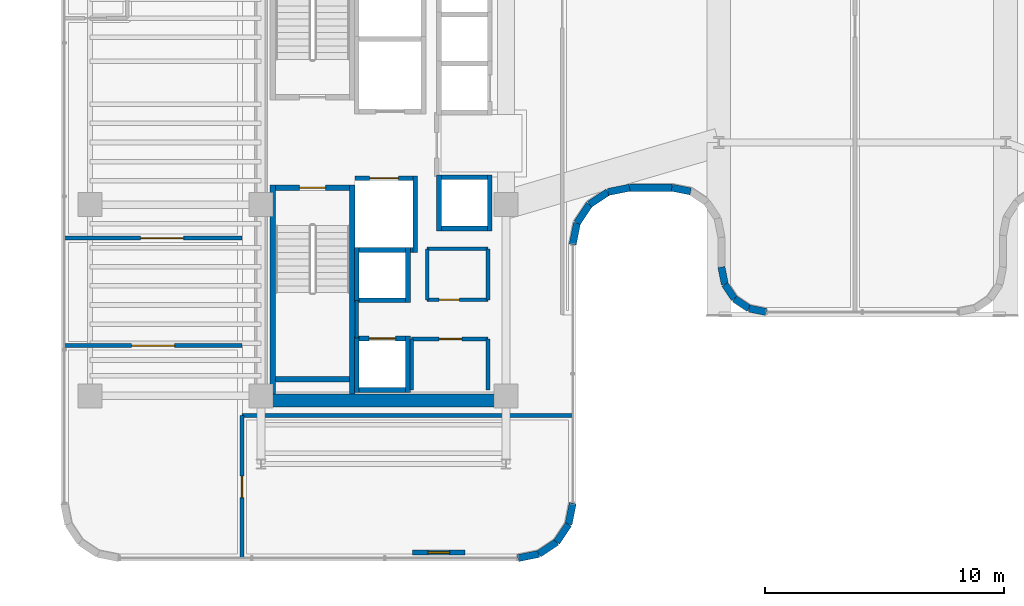
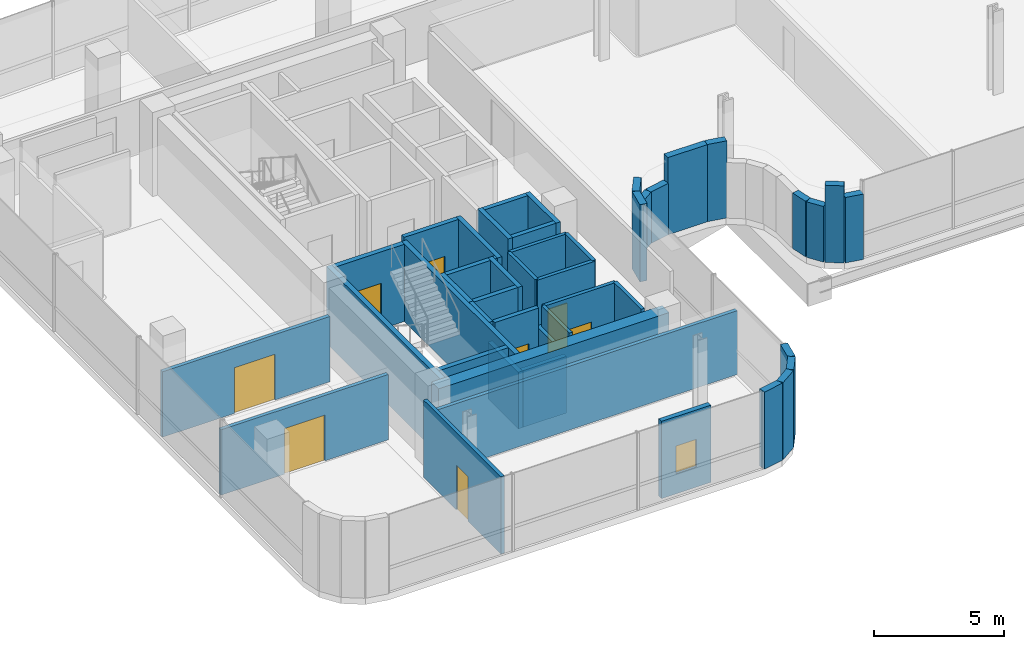
# One storey, part 27 of 37: 46 walls, 8 doors, 1 window, 9 openings.
"""IFC4 building model written with IfcOpenShell, lengths in metres."""

from ifc_helpers import new_model, si_unit, direction, frame, frame_2d, origin, place, context, subcontext, project, spatial, rectangle, extrude, material, layer, layer_set, type_object, element, fill, save


model = new_model("IFC4")

# Units and contexts
model_context = context("Model", 3, precision=1e-05, world=origin(), true_north=direction((0.0, 1.0)))
body_context = subcontext(model_context, "Body", "Model", "MODEL_VIEW")
ifc_project = project(units=[si_unit("LENGTHUNIT", "METRE"), si_unit("AREAUNIT", "SQUARE_METRE"), si_unit("VOLUMEUNIT", "CUBIC_METRE"), si_unit("PLANEANGLEUNIT", "RADIAN"), si_unit("MASSUNIT", "GRAM", prefix="KILO")], contexts=[model_context])

# Site, building, storey
site_placement = place(None, origin())
site = spatial("IfcSite", under=ifc_project, at=site_placement, CompositionType="ELEMENT")
building_placement = place(site_placement, origin())
building = spatial("IfcBuilding", under=site, at=building_placement, Name="Valdorenza Pilgrim Sanctuary Tower", CompositionType="ELEMENT")
storey_placement = place(building_placement, frame((0.0, 0.0, 188.39990234375)))
storey = spatial("IfcBuildingStorey", under=building, at=storey_placement, Name="L48", CompositionType="ELEMENT", Elevation=188.39990234375)

# Wall
ifc_material_1 = material(Name="Acoustic twin-stud gypsum partition", Category="gypsum")
ifc_layer_1 = layer(ifc_material_1, 0.159912109375, Name="Acoustic twin-stud gypsum partition")
ifc_layer_set_1 = layer_set([ifc_layer_1], Name="Acoustic twin-stud gypsum partition")
wall_type_1 = type_object("IfcWallType", Name="WAL-COR-160", PredefinedType="PARTITIONING", material=ifc_layer_set_1)
wall_1_placement = place(storey_placement, frame((-18.64990234375, -8.179931640625, 0.0), z_axis=(0.0, 0.0, 1.0), x_axis=(0.0, 1.0, 0.0)))
element("IfcWall", 1, at=wall_1_placement, inside=storey, type_object=wall_type_1, Name="L48 Core A South Lift Hall West Wall", PredefinedType="PARTITIONING", context=body_context, shape_type="SweptSolid", body=[
    extrude(rectangle(XDim=1.559814453125, YDim=0.159912109375, at=frame_2d((0.77978515625, 0.0))), origin(), (0.0, 0.0, 1.0), 3.630126953125),
])

# Wall, opening, door
wall_2_placement = place(storey_placement, frame((-16.35009765625, -8.219970703125, 0.0), z_axis=(0.0, 0.0, 1.0), x_axis=(1.0, 0.0, 0.0)))
wall_2 = element("IfcWall", 2, at=wall_2_placement, inside=storey, type_object=wall_type_1, Name="L48 Freed Shaft 1 North Wall", PredefinedType="PARTITIONING", context=body_context, shape_type="SweptSolid", body=[
    extrude(rectangle(XDim=3.2001953125, YDim=0.159912109375, at=frame_2d((1.60009765625, 0.0))), origin(), (0.0, 0.0, 1.0), 3.630126953125),
])
opening_1_placement = place(wall_2_placement, frame((1.14990234375, 0.0, 0.0)))
opening_1 = element("IfcOpeningElement", 3, at=opening_1_placement, cuts=wall_2, Name="Opening DR-UN1", PredefinedType="OPENING", context=body_context, shape_type="SweptSolid", body=[
    extrude(rectangle(XDim=0.949951171875, YDim=2.14990234375, at=frame_2d((0.47509765625, 1.074951171875))), frame((0.0, 0.0947265625, 0.0), z_axis=(0.0, -1.0, 0.0), x_axis=(1.0, 0.0, 0.0)), (0.0, 0.0, 1.0), 0.189697265625),
])
ifc_material_2 = material(Name="Solid-core European oak timber", Category="wood")
door_type_1 = type_object("IfcDoorType", Name="DR-UNIT-950", OperationType="NOTDEFINED", PredefinedType="DOOR", material=ifc_material_2)
door_1_placement = place(opening_1_placement, origin())
door_1 = element("IfcDoor", 4, at=door_1_placement, inside=storey, type_object=door_type_1, Name="L48 Back-of-House Linen Store Door", OperationType="SINGLE_SWING_LEFT", OverallHeight=2.14990234375, OverallWidth=0.949951171875, PredefinedType="DOOR", context=body_context, shape_type="SweptSolid", body=[
    extrude(rectangle(XDim=0.949951171875, YDim=2.14990234375, at=frame_2d((0.47509765625, 1.074951171875))), frame((0.0, 0.02490234375, 0.0), z_axis=(0.0, -1.0, 0.0), x_axis=(1.0, 0.0, 0.0)), (0.0, 0.0, 1.0), 0.050048828125),
])
fill(opening_1, door_1)

# Wall
wall_3_placement = place(storey_placement, frame((-13.14990234375, -10.35009765625, 0.0), z_axis=(0.0, 0.0, 1.0), x_axis=(0.0, 1.0, 0.0)))
element("IfcWall", 5, at=wall_3_placement, inside=storey, type_object=wall_type_1, Name="L48 Freed Shaft 1 East Wall", PredefinedType="PARTITIONING", context=body_context, shape_type="SweptSolid", body=[
    extrude(rectangle(XDim=2.130126953125, YDim=0.159912109375, at=frame_2d((1.06494140625, 0.0))), origin(), (0.0, 0.0, 1.0), 3.630126953125),
])

# Wall, opening, door
wall_4_placement = place(storey_placement, frame((-15.699951171875, -6.580078125, 0.0), z_axis=(0.0, 0.0, 1.0), x_axis=(1.0, 0.0, 0.0)))
wall_4 = element("IfcWall", 6, at=wall_4_placement, inside=storey, type_object=wall_type_1, Name="L48 Freed Shaft 2 South Wall", PredefinedType="PARTITIONING", context=body_context, shape_type="SweptSolid", body=[
    extrude(rectangle(XDim=2.550048828125, YDim=0.159912109375, at=frame_2d((1.27490234375, 0.0))), origin(), (0.0, 0.0, 1.0), 3.630126953125),
])
opening_2_placement = place(wall_4_placement, frame((0.5, 0.0, 0.0)))
opening_2 = element("IfcOpeningElement", 7, at=opening_2_placement, cuts=wall_4, Name="Opening DR-RS1", PredefinedType="OPENING", context=body_context, shape_type="SweptSolid", body=[
    extrude(rectangle(XDim=0.85009765625, YDim=2.050048828125, at=frame_2d((0.425048828125, 1.02490234375))), frame((0.0, 0.0947265625, 0.0), z_axis=(0.0, -1.0, 0.0), x_axis=(1.0, 0.0, 0.0)), (0.0, 0.0, 1.0), 0.189697265625),
])
ifc_material_3 = material(Name="Painted galvanized steel", Category="steel")
door_type_2 = type_object("IfcDoorType", Name="DR-RSR-850", OperationType="NOTDEFINED", PredefinedType="DOOR", material=ifc_material_3)
door_2_placement = place(opening_2_placement, origin())
door_2 = element("IfcDoor", 8, at=door_2_placement, inside=storey, type_object=door_type_2, Name="L48 Guest Tea Pantry Door", OperationType="SINGLE_SWING_RIGHT", OverallHeight=2.050048828125, OverallWidth=0.85009765625, PredefinedType="DOOR", context=body_context, shape_type="SweptSolid", body=[
    extrude(rectangle(XDim=0.85009765625, YDim=2.050048828125, at=frame_2d((0.425048828125, 1.02490234375))), frame((0.0, 0.02490234375, 0.0), z_axis=(0.0, -1.0, 0.0), x_axis=(1.0, 0.0, 0.0)), (0.0, 0.0, 1.0), 0.050048828125),
])
fill(opening_2, door_2)

# Walls
wall_5_placement = place(storey_placement, frame((-13.14990234375, -6.580078125, 0.0), z_axis=(0.0, 0.0, 1.0), x_axis=(0.0, 1.0, 0.0)))
element("IfcWall", 9, at=wall_5_placement, inside=storey, type_object=wall_type_1, Name="L48 Freed Shaft 2 East Wall", PredefinedType="PARTITIONING", context=body_context, shape_type="SweptSolid", body=[
    extrude(rectangle(XDim=2.130126953125, YDim=0.159912109375, at=frame_2d((1.06494140625, 0.0))), origin(), (0.0, 0.0, 1.0), 3.630126953125),
])
wall_6_placement = place(storey_placement, frame((-23.449951171875, -11.419921875, 0.0), z_axis=(0.0, 0.0, 1.0), x_axis=(1.0, 0.0, 0.0)))
element("IfcWall", 10, at=wall_6_placement, inside=storey, type_object=wall_type_1, Name="L48 South-East Pocket North Wall", PredefinedType="PARTITIONING", context=body_context, shape_type="SweptSolid", body=[
    extrude(rectangle(XDim=13.83984375, YDim=0.159912109375, at=frame_2d((6.919921875, 0.0))), origin(), (0.0, 0.0, 1.0), 3.004150390625),
])

# Wall, opening, door
wall_7_placement = place(storey_placement, frame((-23.449951171875, -17.389892578125, 0.0), z_axis=(0.0, 0.0, 1.0), x_axis=(0.0, 1.0, 0.0)))
wall_7 = element("IfcWall", 11, at=wall_7_placement, inside=storey, type_object=wall_type_1, Name="L48 South-East Pocket West Wall", PredefinedType="PARTITIONING", context=body_context, shape_type="SweptSolid", body=[
    extrude(rectangle(XDim=5.969970703125, YDim=0.159912109375, at=frame_2d((2.98486328125, 0.0))), origin(), (0.0, 0.0, 1.0), 3.630126953125),
])
opening_3_placement = place(wall_7_placement, frame((2.534912109375, 0.0, 0.0)))
opening_3 = element("IfcOpeningElement", 12, at=opening_3_placement, cuts=wall_7, Name="Opening DR-RM1", PredefinedType="OPENING", context=body_context, shape_type="SweptSolid", body=[
    extrude(rectangle(XDim=0.89990234375, YDim=2.10009765625, at=frame_2d((0.449951171875, 1.050048828125))), frame((0.0, 0.0947265625, 0.0), z_axis=(0.0, -1.0, 0.0), x_axis=(1.0, 0.0, 0.0)), (0.0, 0.0, 1.0), 0.189697265625),
])
door_type_3 = type_object("IfcDoorType", Name="DR-ROOM-900", OperationType="NOTDEFINED", PredefinedType="DOOR", material=ifc_material_2)
door_3_placement = place(opening_3_placement, frame((0.89990234375, 0.0, 0.0), z_axis=(0.0, 0.0, 1.0), x_axis=(-1.0, 0.0, 0.0)))
door_3 = element("IfcDoor", 13, at=door_3_placement, inside=storey, type_object=door_type_3, Name="L48 Sacred Archive Reading Library L48-S Door", OperationType="SINGLE_SWING_LEFT", OverallHeight=2.10009765625, OverallWidth=0.89990234375, PredefinedType="DOOR", context=body_context, shape_type="SweptSolid", body=[
    extrude(rectangle(XDim=0.89990234375, YDim=2.10009765625, at=frame_2d((0.449951171875, 1.050048828125))), frame((0.0, 0.02490234375, 0.0), z_axis=(0.0, -1.0, 0.0), x_axis=(1.0, 0.0, 0.0)), (0.0, 0.0, 1.0), 0.050048828125),
])
fill(opening_3, door_3)

wall_8_placement = place(storey_placement, frame((-30.889892578125, -8.5, 0.0), z_axis=(0.0, 0.0, 1.0), x_axis=(1.0, 0.0, 0.0)))
wall_8 = element("IfcWall", 14, at=wall_8_placement, inside=storey, type_object=wall_type_1, Name="L48 Cloister South Room Wall", PredefinedType="PARTITIONING", context=body_context, shape_type="SweptSolid", body=[
    extrude(rectangle(XDim=7.43994140625, YDim=0.159912109375, at=frame_2d((3.719970703125, 0.0))), origin(), (0.0, 0.0, 1.0), 3.076171875),
])
opening_4_placement = place(wall_8_placement, frame((2.820068359375, 0.0, 0.0)))
opening_4 = element("IfcOpeningElement", 15, at=opening_4_placement, cuts=wall_8, Name="Opening DR-HL1", PredefinedType="OPENING", context=body_context, shape_type="SweptSolid", body=[
    extrude(rectangle(XDim=1.800048828125, YDim=2.14990234375, at=frame_2d((0.89990234375, 1.074951171875))), frame((0.0, 0.0947265625, 0.0), z_axis=(0.0, -1.0, 0.0), x_axis=(1.0, 0.0, 0.0)), (0.0, 0.0, 1.0), 0.189697265625),
])
ifc_material_4 = material(Name="Acoustic oak and vision-glass double door", Category="glass")
door_type_4 = type_object("IfcDoorType", Name="DR-HALL-1800", OperationType="NOTDEFINED", PredefinedType="DOOR", material=ifc_material_4)
door_4_placement = place(opening_4_placement, origin())
door_4 = element("IfcDoor", 16, at=door_4_placement, inside=storey, type_object=door_type_4, Name="L48 Sacred Archive Reading Library L48-S1 Door", OperationType="DOUBLE_DOOR_SINGLE_SWING", OverallHeight=2.14990234375, OverallWidth=1.800048828125, PredefinedType="DOOR", context=body_context, shape_type="SweptSolid", body=[
    extrude(rectangle(XDim=1.800048828125, YDim=2.14990234375, at=frame_2d((0.89990234375, 1.074951171875))), frame((0.0, 0.02490234375, 0.0), z_axis=(0.0, -1.0, 0.0), x_axis=(1.0, 0.0, 0.0)), (0.0, 0.0, 1.0), 0.050048828125),
])
fill(opening_4, door_4)

wall_9_placement = place(storey_placement, frame((-30.889892578125, -4.0, 0.0), z_axis=(0.0, 0.0, 1.0), x_axis=(1.0, 0.0, 0.0)))
wall_9 = element("IfcWall", 17, at=wall_9_placement, inside=storey, type_object=wall_type_1, Name="L48 Cloister Mid Wall", PredefinedType="PARTITIONING", context=body_context, shape_type="SweptSolid", body=[
    extrude(rectangle(XDim=7.43994140625, YDim=0.159912109375, at=frame_2d((3.719970703125, 0.0))), origin(), (0.0, 0.0, 1.0), 3.076171875),
])
opening_5_placement = place(wall_9_placement, frame((3.199951171875, 0.0, 0.0)))
opening_5 = element("IfcOpeningElement", 18, at=opening_5_placement, cuts=wall_9, Name="Opening DR-HL1", PredefinedType="OPENING", context=body_context, shape_type="SweptSolid", body=[
    extrude(rectangle(XDim=1.800048828125, YDim=2.14990234375, at=frame_2d((0.89990234375, 1.074951171875))), frame((0.0, 0.0947265625, 0.0), z_axis=(0.0, -1.0, 0.0), x_axis=(1.0, 0.0, 0.0)), (0.0, 0.0, 1.0), 0.189697265625),
])
door_5_placement = place(opening_5_placement, origin())
door_5 = element("IfcDoor", 19, at=door_5_placement, inside=storey, type_object=door_type_4, Name="L48 Cloister Mid Double Door", OperationType="DOUBLE_DOOR_SINGLE_SWING", OverallHeight=2.14990234375, OverallWidth=1.800048828125, PredefinedType="DOOR", context=body_context, shape_type="SweptSolid", body=[
    extrude(rectangle(XDim=1.800048828125, YDim=2.14990234375, at=frame_2d((0.89990234375, 1.074951171875))), frame((0.0, 0.02490234375, 0.0), z_axis=(0.0, -1.0, 0.0), x_axis=(1.0, 0.0, 0.0)), (0.0, 0.0, 1.0), 0.050048828125),
])
fill(opening_5, door_5)

# Walls
ifc_material_5 = material(Name="Concrete C50/60", Category="concrete")
ifc_layer_2 = layer(ifc_material_5, 0.550048828125, Name="Concrete C50/60")
ifc_layer_set_2 = layer_set([ifc_layer_2], Name="Concrete C50/60")
wall_type_2 = type_object("IfcWallType", Name="WAL-COR-550", PredefinedType="SHEAR", material=ifc_layer_set_2)
wall_10_placement = place(storey_placement, frame((-22.64990234375, -10.800048828125, 0.0), z_axis=(0.0, 0.0, 1.0), x_axis=(1.0, 0.0, 0.0)))
element("IfcWall", 20, at=wall_10_placement, inside=storey, type_object=wall_type_2, Name="L48 Split Core A Shear Wall S", PredefinedType="SHEAR", context=body_context, shape_type="SweptSolid", body=[
    extrude(rectangle(XDim=10.25, YDim=0.550048828125, at=frame_2d((5.125, 0.0))), origin(), (0.0, 0.0, 1.0), 3.630126953125),
])
ifc_material_6 = material(Name="Honed travertine limestone", Category="masonry")
ifc_layer_3 = layer(ifc_material_6, 0.300048828125, Name="Honed travertine limestone")
ifc_layer_set_3 = layer_set([ifc_layer_3], Name="Honed travertine limestone")
wall_type_3 = type_object("IfcWallType", Name="WAL-EXT-300", PredefinedType="SOLIDWALL", material=ifc_layer_set_3)
wall_11_placement = place(storey_placement, frame((-1.51318359375, -7.090087890625, 0.0), z_axis=(0.0, 0.0, 1.0), x_axis=(-0.980783640462, 0.195098566376, 0.0)))
element("IfcWall", 21, at=wall_11_placement, inside=storey, type_object=wall_type_3, Name="L48 Rounded Wind-Corner Stone Pier 63", PredefinedType="SOLIDWALL", context=body_context, shape_type="SweptSolid", body=[
    extrude(rectangle(XDim=0.73828125, YDim=0.300048828125, at=frame_2d((0.369140625, 0.0))), origin(), (0.0, 0.0, 1.0), 3.076171875),
])
wall_12_placement = place(storey_placement, frame((-2.2373046875, -6.946044921875, 0.0), z_axis=(0.0, 0.0, 1.0), x_axis=(-0.831378135196, 0.555707113792, 0.0)))
element("IfcWall", 22, at=wall_12_placement, inside=storey, type_object=wall_type_3, Name="L48 Rounded Wind-Corner Stone Pier 64", PredefinedType="SOLIDWALL", context=body_context, shape_type="SweptSolid", body=[
    extrude(rectangle(XDim=0.72705078125, YDim=0.300048828125, at=frame_2d((0.363525390625, 0.0))), origin(), (0.0, 0.0, 1.0), 3.630126953125),
])
wall_13_placement = place(storey_placement, frame((-2.841796875, -6.5419921875, 0.0), z_axis=(0.0, 0.0, 1.0), x_axis=(-0.555784030735, 0.83132671747, 0.0)))
element("IfcWall", 23, at=wall_13_placement, inside=storey, type_object=wall_type_3, Name="L48 Rounded Wind-Corner Stone Pier 65", PredefinedType="SOLIDWALL", context=body_context, shape_type="SweptSolid", body=[
    extrude(rectangle(XDim=0.7275390625, YDim=0.300048828125, at=frame_2d((0.36376953125, 0.0))), origin(), (0.0, 0.0, 1.0), 2.614990234375),
])
wall_14_placement = place(storey_placement, frame((-3.24609375, -5.937255859375, 0.0), z_axis=(0.0, 0.0, 1.0), x_axis=(-0.194780446724, 0.980846867546, 0.0)))
element("IfcWall", 24, at=wall_14_placement, inside=storey, type_object=wall_type_3, Name="L48 Rounded Wind-Corner Stone Pier 66", PredefinedType="SOLIDWALL", context=body_context, shape_type="SweptSolid", body=[
    extrude(rectangle(XDim=0.73828125, YDim=0.300048828125, at=frame_2d((0.369140625, 0.0))), origin(), (0.0, 0.0, 1.0), 2.614990234375),
])
wall_15_placement = place(storey_placement, frame((-4.677001953125, -2.046875, 0.0), z_axis=(0.0, 0.0, 1.0), x_axis=(-0.980732291726, 0.195356525272, 0.0)))
element("IfcWall", 25, at=wall_15_placement, inside=storey, type_object=wall_type_3, Name="L48 Rounded Wind-Corner Stone Pier 71", PredefinedType="SOLIDWALL", context=body_context, shape_type="SweptSolid", body=[
    extrude(rectangle(XDim=0.803466796875, YDim=0.300048828125, at=frame_2d((0.40185546875, 0.0))), origin(), (0.0, 0.0, 1.0), 3.630126953125),
])
wall_16_placement = place(storey_placement, frame((-5.465087890625, -1.889892578125, 0.0), z_axis=(0.0, 0.0, 1.0), x_axis=(-1.0, 0.0, 0.0)))
element("IfcWall", 26, at=wall_16_placement, inside=storey, type_object=wall_type_3, Name="L48 Rounded Wind-Corner Stone Pier 72", PredefinedType="SOLIDWALL", context=body_context, shape_type="SweptSolid", body=[
    extrude(rectangle(XDim=1.765625, YDim=0.300048828125, at=frame_2d((0.8828125, 0.0))), origin(), (0.0, 0.0, 1.0), 3.630126953125),
])
wall_17_placement = place(storey_placement, frame((-7.230712890625, -1.889892578125, 0.0), z_axis=(0.0, 0.0, 1.0), x_axis=(-0.980743190895, -0.195301801101, 0.0)))
element("IfcWall", 27, at=wall_17_placement, inside=storey, type_object=wall_type_3, Name="L48 Rounded Wind-Corner Stone Pier 73", PredefinedType="SOLIDWALL", context=body_context, shape_type="SweptSolid", body=[
    extrude(rectangle(XDim=0.922607421875, YDim=0.300048828125, at=frame_2d((0.46142578125, 0.0))), origin(), (0.0, 0.0, 1.0), 2.4150390625),
])
wall_18_placement = place(storey_placement, frame((-8.135498046875, -2.070068359375, 0.0), z_axis=(0.0, 0.0, 1.0), x_axis=(-0.831607331814, -0.555364065883, 0.0)))
element("IfcWall", 28, at=wall_18_placement, inside=storey, type_object=wall_type_3, Name="L48 Rounded Wind-Corner Stone Pier 74", PredefinedType="SOLIDWALL", context=body_context, shape_type="SweptSolid", body=[
    extrude(rectangle(XDim=0.933349609375, YDim=0.300048828125, at=frame_2d((0.466796875, 0.0))), origin(), (0.0, 0.0, 1.0), 2.4150390625),
])
wall_19_placement = place(storey_placement, frame((-8.91162109375, -2.58837890625, 0.0), z_axis=(0.0, 0.0, 1.0), x_axis=(-0.555364065883, -0.831607331814, 0.0)))
element("IfcWall", 29, at=wall_19_placement, inside=storey, type_object=wall_type_3, Name="L48 Rounded Wind-Corner Stone Pier 75", PredefinedType="SOLIDWALL", context=body_context, shape_type="SweptSolid", body=[
    extrude(rectangle(XDim=0.933349609375, YDim=0.300048828125, at=frame_2d((0.466796875, 0.0))), origin(), (0.0, 0.0, 1.0), 3.630126953125),
])
wall_20_placement = place(storey_placement, frame((-9.429931640625, -3.364501953125, 0.0), z_axis=(0.0, 0.0, 1.0), x_axis=(-0.195301801101, -0.980743190895, 0.0)))
element("IfcWall", 30, at=wall_20_placement, inside=storey, type_object=wall_type_3, Name="L48 Rounded Wind-Corner Stone Pier 76", PredefinedType="SOLIDWALL", context=body_context, shape_type="SweptSolid", body=[
    extrude(rectangle(XDim=0.922607421875, YDim=0.300048828125, at=frame_2d((0.46142578125, 0.0))), origin(), (0.0, 0.0, 1.0), 3.630126953125),
])
wall_21_placement = place(storey_placement, frame((-9.610107421875, -15.089111328125, 0.0), z_axis=(0.0, 0.0, 1.0), x_axis=(-0.195025152871, -0.980798241101, 0.0)))
element("IfcWall", 31, at=wall_21_placement, inside=storey, type_object=wall_type_3, Name="L48 Rounded Wind-Corner Stone Pier 78", PredefinedType="SOLIDWALL", context=body_context, shape_type="SweptSolid", body=[
    extrude(rectangle(XDim=0.90380859375, YDim=0.300048828125, at=frame_2d((0.451904296875, 0.0))), origin(), (0.0, 0.0, 1.0), 3.630126953125),
])
for number, where, z_axis, x_axis, name in (
    (32, (-9.786376953125, -15.9755859375, 0.0), (0.0, 0.0, 1.0), (-0.555520488502, -0.831502848374, 0.0), "L48 Rounded Wind-Corner Stone Pier 79"),
    (33, (-10.2822265625, -16.7177734375, 0.0), (0.0, 0.0, 1.0), (-0.831502848374, -0.555520488502, 0.0), "L48 Rounded Wind-Corner Stone Pier 80"),
):
    element("IfcWall", number, at=place(storey_placement, frame(where, z_axis=z_axis, x_axis=x_axis)), inside=storey, type_object=wall_type_3, Name=name, PredefinedType="SOLIDWALL", context=body_context, shape_type="SweptSolid", body=[
        extrude(rectangle(XDim=0.892578125, YDim=0.300048828125, at=frame_2d((0.4462890625, 0.0))), origin(), (0.0, 0.0, 1.0), 3.630126953125),
    ])
wall_22_placement = place(storey_placement, frame((-11.0244140625, -17.213623046875, 0.0), z_axis=(0.0, 0.0, 1.0), x_axis=(-0.980798241101, -0.195025152871, 0.0)))
element("IfcWall", 34, at=wall_22_placement, inside=storey, type_object=wall_type_3, Name="L48 Rounded Wind-Corner Stone Pier 81", PredefinedType="SOLIDWALL", context=body_context, shape_type="SweptSolid", body=[
    extrude(rectangle(XDim=0.90380859375, YDim=0.300048828125, at=frame_2d((0.451904296875, 0.0))), origin(), (0.0, 0.0, 1.0), 3.630126953125),
])

# Wall, opening, window
wall_23_placement = place(storey_placement, frame((-14.11083984375, -17.14990234375, 0.0), z_axis=(0.0, 0.0, 1.0), x_axis=(-1.0, 0.0, 0.0)))
wall_23 = element("IfcWall", 35, at=wall_23_placement, inside=storey, type_object=wall_type_3, Name="L48 Operable Ventilation Sash Jamb Pier", PredefinedType="SOLIDWALL", context=body_context, shape_type="SweptSolid", body=[
    extrude(rectangle(XDim=2.199951171875, YDim=0.219970703125, at=frame_2d((1.10009765625, 0.0))), origin(), (0.0, 0.0, 1.0), 3.630126953125),
])
opening_6_placement = place(wall_23_placement, frame((0.64990234375, 0.0, 0.949951171875)))
opening_6 = element("IfcOpeningElement", 36, at=opening_6_placement, cuts=wall_23, Name="Opening WN-OP1", PredefinedType="OPENING", context=body_context, shape_type="SweptSolid", body=[
    extrude(rectangle(XDim=0.89990234375, YDim=1.300048828125, at=frame_2d((0.449951171875, 0.64990234375))), frame((0.0, 0.125, 0.0), z_axis=(0.0, -1.0, 0.0), x_axis=(1.0, 0.0, 0.0)), (0.0, 0.0, 1.0), 0.249755859375),
])
ifc_material_7 = material(Name="Ceramic-fritted low-E IGU glazing", Category="glass")
window_type = type_object("IfcWindowType", Name="WIN-OPN-900", PartitioningType="SINGLE_PANEL", PredefinedType="WINDOW", material=ifc_material_7)
window_placement = place(opening_6_placement, origin())
window = element("IfcWindow", 37, at=window_placement, inside=storey, type_object=window_type, Name="L48 Parallel-Pop-Out Operable Facade Panel", OverallHeight=1.300048828125, OverallWidth=0.89990234375, PartitioningType="SINGLE_PANEL", PredefinedType="WINDOW", context=body_context, shape_type="SweptSolid", body=[
    extrude(rectangle(XDim=0.89990234375, YDim=1.300048828125, at=frame_2d((0.449951171875, 0.64990234375))), frame((0.0, 0.030029296875, 0.0), z_axis=(0.0, -1.0, 0.0), x_axis=(1.0, 0.0, 0.0)), (0.0, 0.0, 1.0), 0.06005859375),
])
fill(opening_6, window)

# Walls
ifc_material_8 = material(Name="Autoclaved aerated concrete blockwork", Category="masonry")
ifc_layer_4 = layer(ifc_material_8, 0.199951171875, Name="Autoclaved aerated concrete blockwork")
ifc_layer_set_4 = layer_set([ifc_layer_4], Name="Autoclaved aerated concrete blockwork")
wall_type_4 = type_object("IfcWallType", Name="WAL-SHF-200", PredefinedType="MOVABLE", material=ifc_layer_set_4)
wall_24_placement = place(storey_placement, frame((-16.199951171875, -4.60009765625, 0.0), z_axis=(0.0, 0.0, 1.0), x_axis=(0.0, 1.0, 0.0)))
element("IfcWall", 38, at=wall_24_placement, inside=storey, type_object=wall_type_4, Name="L48 Lift FFL-02 Hoistway Wall East", PredefinedType="MOVABLE", context=body_context, shape_type="SweptSolid", body=[
    extrude(rectangle(XDim=3.2001953125, YDim=0.199951171875, at=frame_2d((1.60009765625, 0.0))), origin(), (0.0, 0.0, 1.0), 3.630126953125),
])
wall_25_placement = place(storey_placement, frame((-18.719970703125, -4.5, 0.0), z_axis=(0.0, 0.0, 1.0), x_axis=(1.0, 0.0, 0.0)))
element("IfcWall", 39, at=wall_25_placement, inside=storey, type_object=wall_type_4, Name="L48 Lift FFL-02 Hoistway Wall South", PredefinedType="MOVABLE", context=body_context, shape_type="SweptSolid", body=[
    extrude(rectangle(XDim=2.419921875, YDim=0.199951171875, at=frame_2d((1.2099609375, 0.0))), origin(), (0.0, 0.0, 1.0), 3.630126953125),
])

# Wall, opening, door
wall_26_placement = place(storey_placement, frame((-18.719970703125, -1.5, 0.0), z_axis=(0.0, 0.0, 1.0), x_axis=(1.0, 0.0, 0.0)))
wall_26 = element("IfcWall", 40, at=wall_26_placement, inside=storey, type_object=wall_type_4, Name="L48 Lift FFL-02 Hoistway Wall North", PredefinedType="MOVABLE", context=body_context, shape_type="SweptSolid", body=[
    extrude(rectangle(XDim=2.419921875, YDim=0.199951171875, at=frame_2d((1.2099609375, 0.0))), origin(), (0.0, 0.0, 1.0), 3.630126953125),
])
opening_7_placement = place(wall_26_placement, frame((0.610107421875, 0.0, 0.0)))
opening_7 = element("IfcOpeningElement", 41, at=opening_7_placement, cuts=wall_26, Name="Opening LD-02", PredefinedType="OPENING", context=body_context, shape_type="SweptSolid", body=[
    extrude(rectangle(XDim=1.199951171875, YDim=2.10009765625, at=frame_2d((0.60009765625, 1.050048828125))), frame((0.0, 0.11474609375, 0.0), z_axis=(0.0, -1.0, 0.0), x_axis=(1.0, 0.0, 0.0)), (0.0, 0.0, 1.0), 0.229736328125),
])
ifc_material_9 = material(Name="Brushed stainless steel Grade 316", Category="steel")
door_type_5 = type_object("IfcDoorType", Name="DR-LFT-1200", OperationType="DOUBLE_DOOR_SLIDING", PredefinedType="DOOR", material=ifc_material_9)
door_6_placement = place(opening_7_placement, origin())
door_6 = element("IfcDoor", 42, at=door_6_placement, inside=storey, type_object=door_type_5, Name="L48 Lift FFL-02 Sliding Landing Door", OperationType="DOUBLE_DOOR_SLIDING", OverallHeight=2.10009765625, OverallWidth=1.199951171875, PredefinedType="DOOR", context=body_context, shape_type="SweptSolid", body=[
    extrude(rectangle(XDim=1.199951171875, YDim=2.10009765625, at=frame_2d((0.60009765625, 1.050048828125))), frame((0.0, 0.02490234375, 0.0), z_axis=(0.0, -1.0, 0.0), x_axis=(1.0, 0.0, 0.0)), (0.0, 0.0, 1.0), 0.050048828125),
])
fill(opening_7, door_6)

# Walls
for number, where, z_axis, x_axis, name in (
    (43, (-18.64990234375, -10.449951171875, 0.0), (0.0, 0.0, 1.0), (0.0, 1.0, 0.0), "L48 Lift PL-05 Hoistway Wall West"),
    (44, (-16.5, -10.449951171875, 0.0), (0.0, 0.0, 1.0), (0.0, 1.0, 0.0), "L48 Lift PL-05 Hoistway Wall East"),
):
    element("IfcWall", number, at=place(storey_placement, frame(where, z_axis=z_axis, x_axis=x_axis)), inside=storey, type_object=wall_type_4, Name=name, PredefinedType="MOVABLE", context=body_context, shape_type="SweptSolid", body=[
        extrude(rectangle(XDim=2.349853515625, YDim=0.199951171875, at=frame_2d((1.1748046875, 0.0))), origin(), (0.0, 0.0, 1.0), 2.6650390625),
    ])
wall_27_placement = place(storey_placement, frame((-18.550048828125, -10.35009765625, 0.0), z_axis=(0.0, 0.0, 1.0), x_axis=(1.0, 0.0, 0.0)))
element("IfcWall", 45, at=wall_27_placement, inside=storey, type_object=wall_type_4, Name="L48 Lift PL-05 Hoistway Wall South", PredefinedType="MOVABLE", context=body_context, shape_type="SweptSolid", body=[
    extrude(rectangle(XDim=1.949951171875, YDim=0.199951171875, at=frame_2d((0.97509765625, 0.0))), origin(), (0.0, 0.0, 1.0), 2.6650390625),
])

# Wall, opening, door
wall_28_placement = place(storey_placement, frame((-18.550048828125, -8.199951171875, 0.0), z_axis=(0.0, 0.0, 1.0), x_axis=(1.0, 0.0, 0.0)))
wall_28 = element("IfcWall", 46, at=wall_28_placement, inside=storey, type_object=wall_type_4, Name="L48 Lift PL-05 Hoistway Wall North", PredefinedType="MOVABLE", context=body_context, shape_type="SweptSolid", body=[
    extrude(rectangle(XDim=1.949951171875, YDim=0.199951171875, at=frame_2d((0.97509765625, 0.0))), origin(), (0.0, 0.0, 1.0), 3.630126953125),
])
opening_8_placement = place(wall_28_placement, frame((0.425048828125, 0.0, 0.0)))
opening_8 = element("IfcOpeningElement", 47, at=opening_8_placement, cuts=wall_28, Name="Opening LD-01", PredefinedType="OPENING", context=body_context, shape_type="SweptSolid", body=[
    extrude(rectangle(XDim=1.10009765625, YDim=2.10009765625, at=frame_2d((0.550048828125, 1.050048828125))), frame((0.0, 0.11474609375, 0.0), z_axis=(0.0, -1.0, 0.0), x_axis=(1.0, 0.0, 0.0)), (0.0, 0.0, 1.0), 0.229736328125),
])
door_type_6 = type_object("IfcDoorType", Name="DR-LFT-1100", OperationType="DOUBLE_DOOR_SLIDING", PredefinedType="DOOR", material=ifc_material_9)
door_7_placement = place(opening_8_placement, origin())
door_7 = element("IfcDoor", 48, at=door_7_placement, inside=storey, type_object=door_type_6, Name="L48 Lift PL-05 Sliding Landing Door", OperationType="DOUBLE_DOOR_SLIDING", OverallHeight=2.10009765625, OverallWidth=1.10009765625, PredefinedType="DOOR", context=body_context, shape_type="SweptSolid", body=[
    extrude(rectangle(XDim=1.10009765625, YDim=2.10009765625, at=frame_2d((0.550048828125, 1.050048828125))), frame((0.0, 0.02490234375, 0.0), z_axis=(0.0, -1.0, 0.0), x_axis=(1.0, 0.0, 0.0)), (0.0, 0.0, 1.0), 0.050048828125),
])
fill(opening_8, door_7)

# Walls
for number, where, z_axis, x_axis, name in (
    (49, (-18.64990234375, -6.699951171875, 0.0), (0.0, 0.0, 1.0), (0.0, 1.0, 0.0), "L48 Lift PL-11 Hoistway Wall West"),
    (50, (-16.5, -6.699951171875, 0.0), (0.0, 0.0, 1.0), (0.0, 1.0, 0.0), "L48 Lift PL-11 Hoistway Wall East"),
):
    element("IfcWall", number, at=place(storey_placement, frame(where, z_axis=z_axis, x_axis=x_axis)), inside=storey, type_object=wall_type_4, Name=name, PredefinedType="MOVABLE", context=body_context, shape_type="SweptSolid", body=[
        extrude(rectangle(XDim=2.300048828125, YDim=0.199951171875, at=frame_2d((1.14990234375, 0.0))), origin(), (0.0, 0.0, 1.0), 3.630126953125),
    ])
wall_29_placement = place(storey_placement, frame((-18.550048828125, -6.60009765625, 0.0), z_axis=(0.0, 0.0, 1.0), x_axis=(1.0, 0.0, 0.0)))
element("IfcWall", 51, at=wall_29_placement, inside=storey, type_object=wall_type_4, Name="L48 Lift PL-11 Hoistway Wall South", PredefinedType="MOVABLE", context=body_context, shape_type="SweptSolid", body=[
    extrude(rectangle(XDim=1.949951171875, YDim=0.199951171875, at=frame_2d((0.97509765625, 0.0))), origin(), (0.0, 0.0, 1.0), 3.630126953125),
])
for number, where, z_axis, x_axis, name in (
    (52, (-15.199951171875, -3.699951171875, 0.0), (0.0, 0.0, 1.0), (0.0, 1.0, 0.0), "L48 Lift PL-12 Hoistway Wall West"),
    (53, (-13.080078125, -3.699951171875, 0.0), (0.0, 0.0, 1.0), (0.0, 1.0, 0.0), "L48 Lift PL-12 Hoistway Wall East"),
):
    element("IfcWall", number, at=place(storey_placement, frame(where, z_axis=z_axis, x_axis=x_axis)), inside=storey, type_object=wall_type_4, Name=name, PredefinedType="MOVABLE", context=body_context, shape_type="SweptSolid", body=[
        extrude(rectangle(XDim=2.349853515625, YDim=0.199951171875, at=frame_2d((1.1748046875, 0.0))), origin(), (0.0, 0.0, 1.0), 3.630126953125),
    ])
for number, where, z_axis, x_axis, name in (
    (54, (-15.10009765625, -3.60009765625, 0.0), (0.0, 0.0, 1.0), (1.0, 0.0, 0.0), "L48 Lift PL-12 Hoistway Wall South"),
    (55, (-15.10009765625, -1.449951171875, 0.0), (0.0, 0.0, 1.0), (1.0, 0.0, 0.0), "L48 Lift PL-12 Hoistway Wall North"),
):
    element("IfcWall", number, at=place(storey_placement, frame(where, z_axis=z_axis, x_axis=x_axis)), inside=storey, type_object=wall_type_4, Name=name, PredefinedType="MOVABLE", context=body_context, shape_type="SweptSolid", body=[
        extrude(rectangle(XDim=1.920166015625, YDim=0.199951171875, at=frame_2d((0.9599609375, 0.0))), origin(), (0.0, 0.0, 1.0), 3.630126953125),
    ])
ifc_material_10 = material(Name="Concrete C40/50", Category="concrete")
ifc_layer_5 = layer(ifc_material_10, 0.219970703125, Name="Concrete C40/50")
ifc_layer_set_5 = layer_set([ifc_layer_5], Name="Concrete C40/50")
wall_type_5 = type_object("IfcWallType", Name="WAL-STR-SHF-220", PredefinedType="SHEAR", material=ifc_layer_set_5)
for number, where, z_axis, x_axis, name in (
    (56, (-22.159912109375, -10.52490234375, 0.0), (0.0, 0.0, 1.0), (0.0, 1.0, 0.0), "L48 ST-A2 Structural Stairwell Wall W"),
    (57, (-18.830078125, -10.52490234375, 0.0), (0.0, 0.0, 1.0), (0.0, 1.0, 0.0), "L48 ST-A2 Structural Stairwell Wall E"),
):
    element("IfcWall", number, at=place(storey_placement, frame(where, z_axis=z_axis, x_axis=x_axis)), inside=storey, type_object=wall_type_5, Name=name, PredefinedType="SHEAR", context=body_context, shape_type="SweptSolid", body=[
        extrude(rectangle(XDim=8.744873046875, YDim=0.219970703125, at=frame_2d((4.37255859375, 0.0))), origin(), (0.0, 0.0, 1.0), 3.630126953125),
    ])
wall_30_placement = place(storey_placement, frame((-22.050048828125, -9.909912109375, 0.0), z_axis=(0.0, 0.0, 1.0), x_axis=(1.0, 0.0, 0.0)))
element("IfcWall", 58, at=wall_30_placement, inside=storey, type_object=wall_type_5, Name="L48 ST-A2 Structural Stairwell Wall S", PredefinedType="SHEAR", context=body_context, shape_type="SweptSolid", body=[
    extrude(rectangle(XDim=3.110107421875, YDim=0.219970703125, at=frame_2d((1.55517578125, 0.0))), origin(), (0.0, 0.0, 1.0), 3.630126953125),
])

# Wall, opening, door
wall_31_placement = place(storey_placement, frame((-22.050048828125, -1.889892578125, 0.0), z_axis=(0.0, 0.0, 1.0), x_axis=(1.0, 0.0, 0.0)))
wall_31 = element("IfcWall", 59, at=wall_31_placement, inside=storey, type_object=wall_type_5, Name="L48 ST-A2 Structural Stairwell Wall N", PredefinedType="SHEAR", context=body_context, shape_type="SweptSolid", body=[
    extrude(rectangle(XDim=3.110107421875, YDim=0.219970703125, at=frame_2d((1.55517578125, 0.0))), origin(), (0.0, 0.0, 1.0), 3.630126953125),
])
opening_9_placement = place(wall_31_placement, frame((1.0, 0.0, 0.0)))
opening_9 = element("IfcOpeningElement", 60, at=opening_9_placement, cuts=wall_31, Name="Opening DR-ST1", PredefinedType="OPENING", context=body_context, shape_type="SweptSolid", body=[
    extrude(rectangle(XDim=1.10009765625, YDim=2.14990234375, at=frame_2d((0.550048828125, 1.074951171875))), frame((0.0, 0.125, 0.0), z_axis=(0.0, -1.0, 0.0), x_axis=(1.0, 0.0, 0.0)), (0.0, 0.0, 1.0), 0.249755859375),
])
door_type_7 = type_object("IfcDoorType", Name="DR-STAIR-1100", OperationType="NOTDEFINED", PredefinedType="DOOR", material=ifc_material_3)
door_8_placement = place(opening_9_placement, origin())
door_8 = element("IfcDoor", 61, at=door_8_placement, inside=storey, type_object=door_type_7, Name="L48 Exit Stair ST-A2 Door", OperationType="SINGLE_SWING_RIGHT", OverallHeight=2.14990234375, OverallWidth=1.10009765625, PredefinedType="DOOR", context=body_context, shape_type="SweptSolid", body=[
    extrude(rectangle(XDim=1.10009765625, YDim=2.14990234375, at=frame_2d((0.550048828125, 1.074951171875))), frame((0.0, 0.02490234375, 0.0), z_axis=(0.0, -1.0, 0.0), x_axis=(1.0, 0.0, 0.0)), (0.0, 0.0, 1.0), 0.050048828125),
])
fill(opening_9, door_8)

# Walls
ifc_layer_6 = layer(ifc_material_1, 0.14990234375, Name="Acoustic twin-stud gypsum partition")
ifc_layer_set_6 = layer_set([ifc_layer_6], Name="Acoustic twin-stud gypsum partition")
wall_type_6 = type_object("IfcWallType", Name="WAL-UNT-150", PredefinedType="PARTITIONING", material=ifc_layer_set_6)
for number, where, z_axis, x_axis, name in (
    (62, (-16.35009765625, -10.35009765625, 0.0), (0.0, 0.0, 1.0), (0.0, 1.0, 0.0), "L48 Freed Shaft 1 West Wall"),
    (63, (-15.699951171875, -6.580078125, 0.0), (0.0, 0.0, 1.0), (0.0, 1.0, 0.0), "L48 Freed Shaft 2 West Wall"),
):
    element("IfcWall", number, at=place(storey_placement, frame(where, z_axis=z_axis, x_axis=x_axis)), inside=storey, type_object=wall_type_6, Name=name, PredefinedType="PARTITIONING", context=body_context, shape_type="SweptSolid", body=[
        extrude(rectangle(XDim=2.130126953125, YDim=0.14990234375, at=frame_2d((1.06494140625, 0.0))), origin(), (0.0, 0.0, 1.0), 3.630126953125),
    ])
wall_32_placement = place(storey_placement, frame((-15.699951171875, -4.449951171875, 0.0), z_axis=(0.0, 0.0, 1.0), x_axis=(1.0, 0.0, 0.0)))
element("IfcWall", 64, at=wall_32_placement, inside=storey, type_object=wall_type_6, Name="L48 Freed Shaft 2 North Wall", PredefinedType="PARTITIONING", context=body_context, shape_type="SweptSolid", body=[
    extrude(rectangle(XDim=2.550048828125, YDim=0.14990234375, at=frame_2d((1.27490234375, 0.0))), origin(), (0.0, 0.0, 1.0), 3.630126953125),
])

save(model, "model.ifc")
